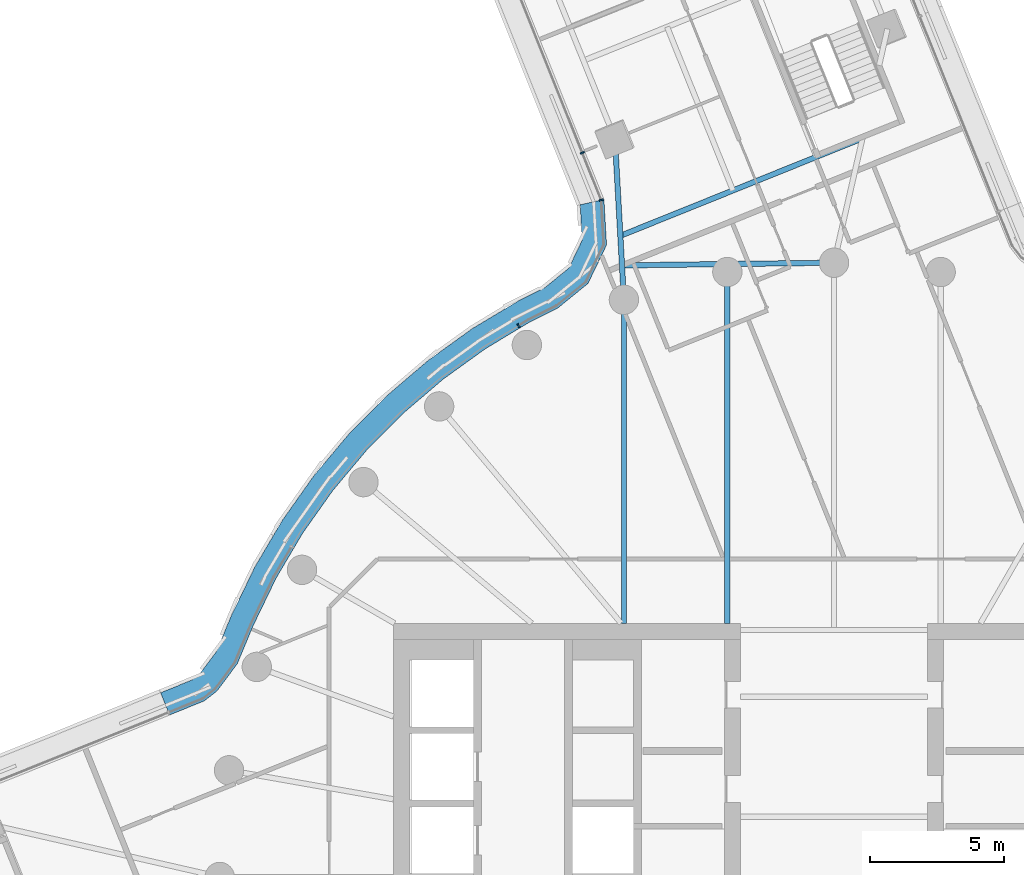
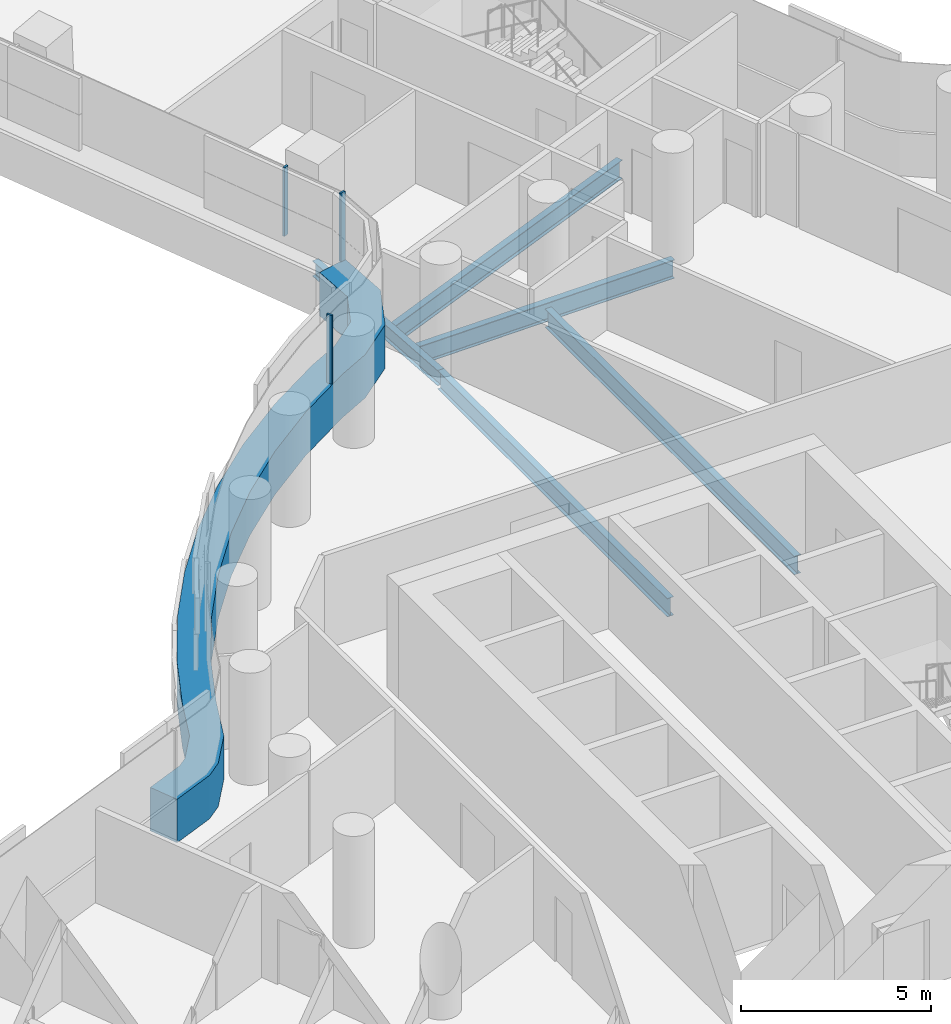
# One storey, part 13 of 32: 5 beams, 4 members, 2 elements without a shape of their own.
"""IFC4 building model written with IfcOpenShell, lengths in metres."""

from ifc_helpers import new_model, si_unit, direction, frame, origin, origin_2d, place, context, subcontext, project, spatial, polyline, rectangle, i_section, outline, extrude, material, layer, layer_set, material_profile, profile_set, type_object, element, aggregate, save


model = new_model("IFC4")

# Units and contexts
model_context = context("Model", 3, precision=1e-05, world=origin(), true_north=direction((0.0, 1.0)))
body_context = subcontext(model_context, "Body", "Model", "MODEL_VIEW")
ifc_project = project(units=[si_unit("LENGTHUNIT", "METRE"), si_unit("AREAUNIT", "SQUARE_METRE"), si_unit("VOLUMEUNIT", "CUBIC_METRE"), si_unit("PLANEANGLEUNIT", "RADIAN"), si_unit("MASSUNIT", "GRAM", prefix="KILO")], contexts=[model_context])

# Site, building, storey
site_placement = place(None, origin())
site = spatial("IfcSite", under=ifc_project, at=site_placement, CompositionType="ELEMENT")
building_placement = place(site_placement, origin())
building = spatial("IfcBuilding", under=site, at=building_placement, Name="Tamarind Cross Interchange Tower", CompositionType="ELEMENT")
storey_placement = place(building_placement, frame((0.0, 0.0, 113.5)))
storey = spatial("IfcBuildingStorey", under=building, at=storey_placement, Name="L27", CompositionType="ELEMENT", Elevation=113.5)

# Beams
ifc_material_1 = material(Name="Steel Q355B", Category="steel")
ifc_material_profile_1 = material_profile(ifc_material_1, i_section(OverallWidth=0.198974609375, OverallDepth=0.49609375, WebThickness=0.009033203125, FlangeThickness=0.013916015625, FilletRadius=0.012939453125, at=origin_2d()), Name="HN 496x199x9x14")
ifc_profile_set_1 = profile_set([ifc_material_profile_1], Name="Steel Q355B")
beam_type_1 = type_object("IfcBeamType", Name="Composite beam HN 496x199x9x14 Q355B", PredefinedType="BEAM", material=ifc_profile_set_1)
beam_1_placement = place(storey_placement, frame((-8.202880859375, 27.643798828125, -0.387939453125), z_axis=(0.055698358433, -0.998447641525, 0.0), x_axis=(0.998447641525, 0.055698358433, 0.0)))
element("IfcBeam", 1, at=beam_1_placement, inside=storey, type_object=beam_type_1, Name="Beam N-linkep", PredefinedType="BEAM", context=body_context, shape_type="SweptSolid", body=[
    extrude(i_section(OverallWidth=0.198974609375, OverallDepth=0.49609375, WebThickness=0.009033203125, FlangeThickness=0.013916015625, FilletRadius=0.012939453125, at=origin_2d()), origin(), (0.0, 0.0, 1.0), 6.0400390625),
])
ifc_material_profile_2 = material_profile(ifc_material_1, i_section(OverallWidth=0.198974609375, OverallDepth=0.595947265625, WebThickness=0.010009765625, FlangeThickness=0.014892578125, FilletRadius=0.012939453125, at=origin_2d()), Name="HN 596x199x10x15")
ifc_profile_set_2 = profile_set([ifc_material_profile_2], Name="Steel Q355B")
beam_type_2 = type_object("IfcBeamType", Name="Composite beam HN 596x199x10x15 Q355B", PredefinedType="BEAM", material=ifc_profile_set_2)
beam_2_placement = place(storey_placement, frame((-3.993896484375, 22.650634765625, -0.43798828125), z_axis=(0.0, -1.0, 0.0), x_axis=(1.0, 0.0, 0.0)))
element("IfcBeam", 2, at=beam_2_placement, inside=storey, type_object=beam_type_2, Name="Beam HH10", PredefinedType="BEAM", context=body_context, shape_type="SweptSolid", body=[
    extrude(i_section(OverallWidth=0.198974609375, OverallDepth=0.595947265625, WebThickness=0.010009765625, FlangeThickness=0.014892578125, FilletRadius=0.012939453125, at=origin_2d()), origin(), (0.0, 0.0, 1.0), 13.150634765625),
])
beam_3_placement = place(storey_placement, frame((-7.866455078125, 21.613037109375, -0.43798828125), z_axis=(0.0, -1.0, 0.0), x_axis=(1.0, 0.0, 0.0)))
element("IfcBeam", 3, at=beam_3_placement, inside=storey, type_object=beam_type_2, Name="Beam HH11", PredefinedType="BEAM", context=body_context, shape_type="SweptSolid", body=[
    extrude(i_section(OverallWidth=0.198974609375, OverallDepth=0.595947265625, WebThickness=0.010009765625, FlangeThickness=0.014892578125, FilletRadius=0.012939453125, at=origin_2d()), origin(), (0.0, 0.0, 1.0), 12.113037109375),
])
ifc_material_profile_3 = material_profile(ifc_material_1, i_section(OverallWidth=0.199951171875, OverallDepth=0.60009765625, WebThickness=0.010986328125, FlangeThickness=0.01708984375, FilletRadius=0.012939453125, at=origin_2d()), Name="HN 600x200x11x17")
ifc_profile_set_3 = profile_set([ifc_material_profile_3], Name="Steel Q355B")
beam_type_3 = type_object("IfcBeamType", Name="Composite beam HN 600x200x11x17 Q355B", PredefinedType="BEAM", material=ifc_profile_set_3)
beam_4_placement = place(storey_placement, frame((1.064208984375, 27.657470703125, -0.43994140625), z_axis=(-0.927567623223, -0.373655328276, 0.0), x_axis=(0.373655328276, -0.927567623223, 0.0)))
element("IfcBeam", 4, at=beam_4_placement, inside=storey, type_object=beam_type_3, Name="Beam N-x268", PredefinedType="BEAM", context=body_context, shape_type="SweptSolid", body=[
    extrude(i_section(OverallWidth=0.199951171875, OverallDepth=0.60009765625, WebThickness=0.010986328125, FlangeThickness=0.01708984375, FilletRadius=0.012939453125, at=origin_2d()), origin(), (0.0, 0.0, 1.0), 9.77197265625),
])
beam_5_placement = place(storey_placement, frame((0.0, 23.0, -0.43994140625), z_axis=(-0.999918950495, -0.012731552991, 0.0), x_axis=(0.012731552991, -0.999918950495, 0.0)))
element("IfcBeam", 5, at=beam_5_placement, inside=storey, type_object=beam_type_3, Name="Beam N-x258", PredefinedType="BEAM", context=body_context, shape_type="SweptSolid", body=[
    extrude(i_section(OverallWidth=0.199951171875, OverallDepth=0.60009765625, WebThickness=0.010986328125, FlangeThickness=0.01708984375, FilletRadius=0.012939453125, at=origin_2d()), origin(), (0.0, 0.0, 1.0), 7.93896484375),
])

# Curtain wall, member
ifc_material_2 = material(Name="Aluminium 6063-T6", Category="aluminium")
ifc_layer = layer(ifc_material_2, 0.159912109375)
ifc_layer_set = layer_set([ifc_layer], Name="Aluminium 6063-T6")
curtain_wall_type = type_object("IfcCurtainWallType", Name="Office curtain wall, 9.0 m bays", PredefinedType="NOTDEFINED", material=ifc_layer_set)
curtain_wall_1_placement = place(storey_placement, origin())
curtain_wall_1 = element("IfcCurtainWall", 6, at=curtain_wall_1_placement, inside=storey, type_object=curtain_wall_type, Name="CWS-L27-14", PredefinedType="NOTDEFINED")
ifc_material_3 = material(Name="Aluminium and insulated spandrel panel", Category="aluminium")
member_type_1 = type_object("IfcMemberType", Name="Floor-edge blade transom", PredefinedType="USERDEFINED", material=ifc_material_3)
member_1_placement = place(storey_placement, origin())
member_1 = element("IfcMember", 7, at=member_1_placement, type_object=member_type_1, Name="CWT-L27-14", ObjectType="TRANSOM", PredefinedType="USERDEFINED", context=body_context, shape_type="SweptSolid", body=[
    extrude(outline(polyline([(-8.61376953125, 25.369384765625), (-8.516357421875, 23.662109375), (-9.212158203125, 22.218505859375), (-10.34130859375, 21.302490234375), (-11.366943359375, 20.791259765625), (-13.045654296875, 19.78125), (-14.634521484375, 18.636474609375), (-16.12353515625, 17.3642578125), (-17.50244140625, 15.973388671875), (-18.76171875, 14.4736328125), (-19.892822265625, 12.874755859375), (-20.88818359375, 11.188232421875), (-21.742431640625, 9.421142578125), (-22.344970703125, 7.977783203125), (-23.10400390625, 6.961181640625), (-23.581787109375, 6.590576171875), (-24.87744140625, 6.06396484375), (-25.215087890625, 6.8984375), (-24.035400390625, 7.377685546875), (-23.752197265625, 7.597412109375), (-23.132568359375, 8.42724609375), (-22.5634765625, 9.790771484375), (-21.68212890625, 11.613525390625), (-20.64892578125, 13.3642578125), (-19.474853515625, 15.023681640625), (-18.167724609375, 16.580810546875), (-16.736572265625, 18.0244140625), (-15.19091796875, 19.344970703125), (-13.54150390625, 20.533203125), (-11.800537109375, 21.580810546875), (-10.831298828125, 22.063720703125), (-9.935546875, 22.790771484375), (-9.42822265625, 23.84326171875), (-9.50390625, 25.171142578125), (-8.61376953125, 25.369384765625)])), origin(), (0.0, 0.0, 1.0), 1.39990234375),
])

curtain_wall_2_placement = place(storey_placement, origin())
curtain_wall_2 = element("IfcCurtainWall", 8, at=curtain_wall_2_placement, inside=storey, type_object=curtain_wall_type, Name="CWS-L27-13", PredefinedType="NOTDEFINED")
ifc_material_profile_4 = material_profile(ifc_material_2, rectangle(XDim=0.06005859375, YDim=0.159912109375, at=origin_2d()), Name="Mullion CW1")
ifc_profile_set_4 = profile_set([ifc_material_profile_4], Name="Aluminium 6063-T6")
member_type_2 = type_object("IfcMemberType", Name="Mullion CW1", PredefinedType="MULLION", material=ifc_profile_set_4)
member_2_placement = place(storey_placement, frame((-9.422607421875, 27.11767578125, 1.39990234375), z_axis=(0.0, 0.0, 1.0), x_axis=(0.372124229448, -0.928182933401, 0.0)))
member_2 = element("IfcMember", 9, at=member_2_placement, type_object=member_type_2, Name="CWM-L27-13-02", PredefinedType="MULLION", context=body_context, shape_type="SweptSolid", body=[
    extrude(rectangle(XDim=0.06005859375, YDim=0.159912109375, at=origin_2d()), origin(), (0.0, 0.0, 1.0), 2.210205078125),
])
aggregate(curtain_wall_2, [member_2])

# Member
member_3_placement = place(storey_placement, frame((-8.712646484375, 25.347412109375, 1.39990234375), z_axis=(0.0, 0.0, 1.0), x_axis=(0.217413332045, -0.976079629461, 0.0)))
member_3 = element("IfcMember", 10, at=member_3_placement, type_object=member_type_2, Name="CWM-L27-14-00", PredefinedType="MULLION", context=body_context, shape_type="SweptSolid", body=[
    extrude(rectangle(XDim=0.06005859375, YDim=0.159912109375, at=origin_2d()), origin(), (0.0, 0.0, 1.0), 2.210205078125),
])

member_4_placement = place(storey_placement, frame((-11.812744140625, 20.639892578125, 1.39990234375), z_axis=(0.0, 0.0, 1.0), x_axis=(-0.856843065292, -0.515577308909, 0.0)))
member_4 = element("IfcMember", 11, at=member_4_placement, type_object=member_type_2, Name="CWM-L27-14-01", PredefinedType="MULLION", context=body_context, shape_type="SweptSolid", body=[
    extrude(rectangle(XDim=0.06005859375, YDim=0.159912109375, at=origin_2d()), origin(), (0.0, 0.0, 1.0), 2.210205078125),
])

aggregate(curtain_wall_1, [member_3, member_4, member_1])

save(model, "model.ifc")
